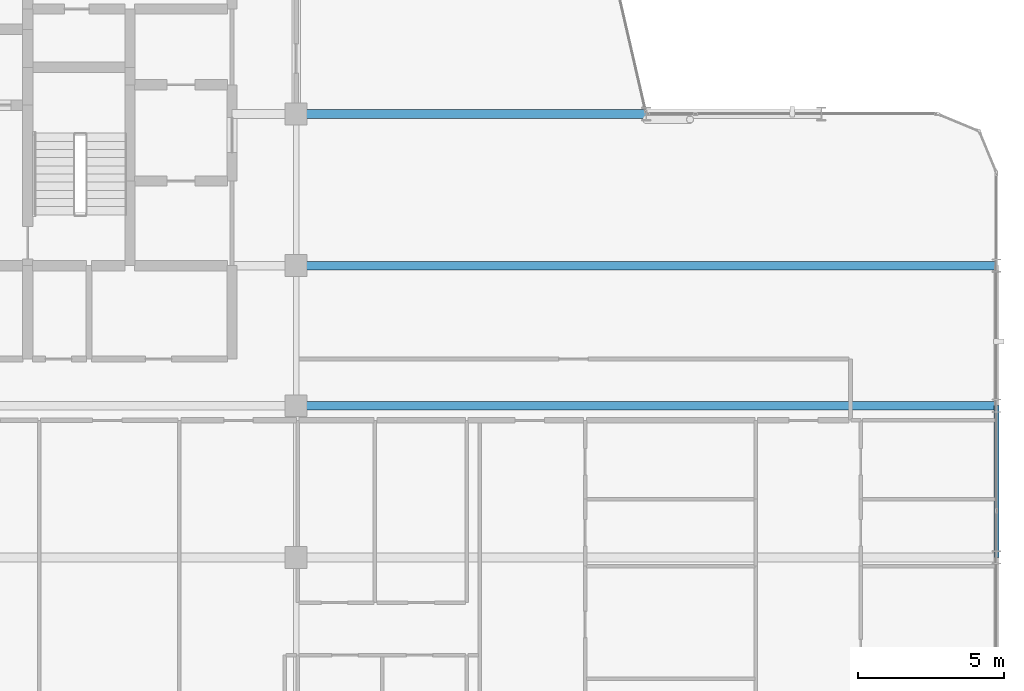
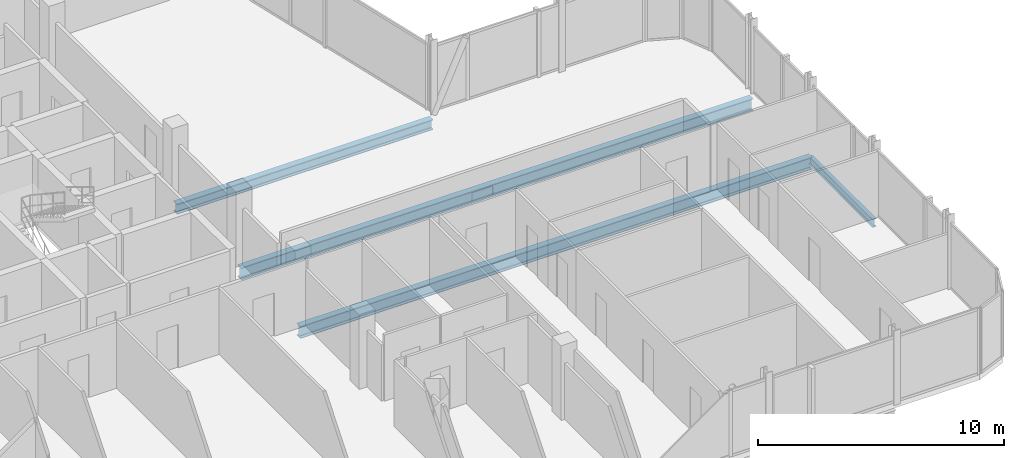
# One storey, part 13 of 28: 4 beams.
"""IFC4 building model written with IfcOpenShell, lengths in metres."""

import ifcopenshell
import ifcopenshell.guid

model = None  # the IFC model being written
_history = None  # IfcOwnerHistory: only IFC2X3 demands one
_inside = {}  # id of a spatial element -> (the spatial element, [elements in it])
_under = {}  # id of a project, library or spatial element -> (it, [spatial elements below it])
_declared = {}  # id of a project -> (the project, [libraries it declares])
_typed = {}  # id of a type object -> (the type object, [elements of that type])
_made_of = {}  # id of a material, layer set ... -> (it, [elements and type objects made of it])


def new_model(schema):
    """Start an empty IFC model of exactly this schema.

    Asked for "IFC4X3", IfcOpenShell would pick the latest addendum, in which some entities
    have other attributes; the version numbers below select the first issue.
    IFC2X3 requires an IfcOwnerHistory on every rooted entity: one is made here for all.
    """
    global model, _history
    if schema == "IFC4X3":
        model = ifcopenshell.file(schema_version=(4, 3, 0, 0))
    else:
        model = ifcopenshell.file(schema=schema)
    _inside.clear()
    _under.clear()
    _declared.clear()
    _typed.clear()
    _made_of.clear()
    _history = None
    if model.schema == "IFC2X3":
        org = make("IfcOrganization", Name="unknown")
        user = make(
            "IfcPersonAndOrganization",
            ThePerson=make("IfcPerson", FamilyName="unknown"),
            TheOrganization=org,
        )
        app = make(
            "IfcApplication",
            ApplicationDeveloper=org,
            Version="unknown",
            ApplicationFullName="unknown",
            ApplicationIdentifier="unknown",
        )
        _history = make(
            "IfcOwnerHistory",
            OwningUser=user,
            OwningApplication=app,
            ChangeAction="ADDED",
            CreationDate=0,
        )
    return model


def make(cls, **values):
    """One entity of the class cls with the attributes given. An attribute that is None is left unset."""
    return model.create_entity(
        cls, **{name: value for name, value in values.items() if value is not None}
    )


def rooted(cls, **values):
    """An entity with a GlobalId (a new one), such as an element, a storey or a relation."""
    return make(cls, GlobalId=ifcopenshell.guid.new(), OwnerHistory=_history, **values)


def si_unit(unit_type, name, prefix=None):
    """IfcSIUnit, for example si_unit("LENGTHUNIT", "METRE", prefix="MILLI")."""
    return make("IfcSIUnit", UnitType=unit_type, Prefix=prefix, Name=name)


def assignment(units):
    """IfcUnitAssignment: the units of a project."""
    return None if units is None else make("IfcUnitAssignment", Units=units)


def point(xyz):
    """IfcCartesianPoint."""
    return None if xyz is None else make("IfcCartesianPoint", Coordinates=xyz)


def direction(xyz):
    """IfcDirection."""
    return None if xyz is None else make("IfcDirection", DirectionRatios=xyz)


def frame(location, z_axis=None, x_axis=None):
    """IfcAxis2Placement3D, a coordinate frame: its origin and axes. An axis left out is left unset."""
    return make(
        "IfcAxis2Placement3D",
        Location=point(location),
        Axis=direction(z_axis),
        RefDirection=direction(x_axis),
    )


def frame_2d(location, x_axis=None):
    """IfcAxis2Placement2D, a coordinate frame in the plane: its origin and x axis."""
    return make(
        "IfcAxis2Placement2D", Location=point(location), RefDirection=direction(x_axis)
    )


def origin():
    """The frame at (0, 0, 0) with its axes left unset."""
    return frame((0.0, 0.0, 0.0))


def origin_2d():
    """The frame at (0, 0) in the plane with its x axis left unset."""
    return frame_2d((0.0, 0.0))


def place(relative_to, where):
    """IfcLocalPlacement: puts the frame where relative to a parent placement (None: the world)."""
    return make(
        "IfcLocalPlacement", PlacementRelTo=relative_to, RelativePlacement=where
    )


def context(
    kind, dimensions, precision=None, world=None, true_north=None, identifier=None
):
    """IfcGeometricRepresentationContext, for example the 3D "Model" context."""
    return make(
        "IfcGeometricRepresentationContext",
        ContextIdentifier=identifier,
        ContextType=kind,
        CoordinateSpaceDimension=dimensions,
        Precision=precision,
        WorldCoordinateSystem=world,
        TrueNorth=true_north,
    )


def subcontext(parent, identifier, kind, view, scale=None):
    """IfcGeometricRepresentationSubContext, for example "Body" below "Model"."""
    return make(
        "IfcGeometricRepresentationSubContext",
        ContextIdentifier=identifier,
        ContextType=kind,
        ParentContext=parent,
        TargetScale=scale,
        TargetView=view,
    )


def project(units=None, contexts=None):
    """IfcProject with its units and contexts."""
    return rooted(
        "IfcProject",
        Name="project",
        RepresentationContexts=contexts,
        UnitsInContext=assignment(units),
    )


def spatial(cls, under=None, at=None, **own):
    """A site, building, storey or space (cls), placed at a placement, below another one or the project."""
    s = rooted(cls, ObjectPlacement=at, **own)
    if under is not None:
        _under.setdefault(under.id(), (under, []))[1].append(s)
    return s


def profile(cls, at=None, kind="AREA", **sizes):
    """A parametric profile (cls). Its sizes go by their IFC names, for example OverallWidth=200.0."""
    return make(cls, ProfileType=kind, Position=at, **sizes)


def i_section(**sizes):
    """IfcIShapeProfileDef."""
    return profile("IfcIShapeProfileDef", **sizes)


def extrude(swept, where, along, depth):
    """IfcExtrudedAreaSolid: the profile swept, set in the frame where, extruded along a direction by depth."""
    return make(
        "IfcExtrudedAreaSolid",
        SweptArea=swept,
        Position=where,
        ExtrudedDirection=direction(along),
        Depth=depth,
    )


def shape(context_of_items, identifier, shape_type, items):
    """IfcShapeRepresentation: the items that make up one representation, for example the "Body"."""
    return make(
        "IfcShapeRepresentation",
        ContextOfItems=context_of_items,
        RepresentationIdentifier=identifier,
        RepresentationType=shape_type,
        Items=items,
    )


def material(Name=None, Category=None):
    """IfcMaterial."""
    return make("IfcMaterial", Name=Name, Category=Category)


def material_profile(
    of_material, cross_section, Name=None, Category=None, Priority=None
):
    """IfcMaterialProfile: a cross section and its material."""
    return make(
        "IfcMaterialProfile",
        Name=Name,
        Material=of_material,
        Profile=cross_section,
        Priority=Priority,
        Category=Category,
    )


def profile_set(profiles, Name=None, composite=None):
    """IfcMaterialProfileSet."""
    return make(
        "IfcMaterialProfileSet",
        Name=Name,
        MaterialProfiles=profiles,
        CompositeProfile=composite,
    )


def made_of(thing, what):
    """Note that an element or type object is made of a material, layer set ...; save() writes the relation."""
    if what is not None:
        _made_of.setdefault(what.id(), (what, []))[1].append(thing)
    return thing


def type_object(cls, material=None, **own):
    """A type object (cls), such as IfcWallType, which elements share."""
    return made_of(rooted(cls, **own), material)


def element(
    cls,
    number,
    at=None,
    inside=None,
    cuts=None,
    type_object=None,
    material=None,
    context=None,
    identifier="Body",
    shape_type=None,
    held_by="IfcProductDefinitionShape",
    body=None,
    shapes=None,
    **own,
):
    """One element of the class cls, such as IfcWall. Its Tag is "e" and its number.

    at: its placement. inside: the storey or other place that contains it. cuts: it is an
    opening in that element (IfcRelVoidsElement). A single representation is given by context,
    identifier, shape_type and body (its items); several are given by shapes. held_by: the class
    of the entity that holds the representations. save() writes the other relations.
    """
    e = rooted(cls, Tag="e%d" % number, ObjectPlacement=at, **own)
    if body is not None:
        shapes = [shape(context, identifier, shape_type, body)]
    if shapes is not None:
        e.Representation = make(held_by, Representations=shapes)
    if inside is not None:
        _inside.setdefault(inside.id(), (inside, []))[1].append(e)
    if cuts is not None:
        rooted(
            "IfcRelVoidsElement", RelatingBuildingElement=cuts, RelatedOpeningElement=e
        )
    if type_object is not None:
        _typed.setdefault(type_object.id(), (type_object, []))[1].append(e)
    return made_of(e, material)


def aggregate(whole, parts):
    """IfcRelAggregates: a whole, such as a stair, and the parts it consists of."""
    return rooted("IfcRelAggregates", RelatingObject=whole, RelatedObjects=parts)


def save(model, path):
    """Write the relations noted so far, then the file.

    IfcRelAggregates (storeys below a building ...), IfcRelContainedInSpatialStructure (elements
    in a storey), IfcRelDefinesByType, IfcRelAssociatesMaterial and IfcRelDeclares: one each for
    every whole, place, type object, material and project.
    """
    for whole, parts in _under.values():
        aggregate(whole, parts)
    for where, things in _inside.values():
        rooted(
            "IfcRelContainedInSpatialStructure",
            RelatedElements=things,
            RelatingStructure=where,
        )
    for kind, things in _typed.values():
        rooted("IfcRelDefinesByType", RelatedObjects=things, RelatingType=kind)
    for what, things in _made_of.values():
        rooted("IfcRelAssociatesMaterial", RelatedObjects=things, RelatingMaterial=what)
    for by, libraries in _declared.values():
        rooted("IfcRelDeclares", RelatingContext=by, RelatedDefinitions=libraries)
    model.write(path)


model = new_model("IFC4")

# Units and contexts
model_context = context("Model", 3, precision=1e-05, world=origin(), true_north=direction((0.0, 1.0)))
body_context = subcontext(model_context, "Body", "Model", "MODEL_VIEW")
ifc_project = project(units=[si_unit("LENGTHUNIT", "METRE"), si_unit("AREAUNIT", "SQUARE_METRE"), si_unit("VOLUMEUNIT", "CUBIC_METRE"), si_unit("PLANEANGLEUNIT", "RADIAN"), si_unit("MASSUNIT", "GRAM", prefix="KILO")], contexts=[model_context])

# Site, building, storey
site_placement = place(None, origin())
site = spatial("IfcSite", under=ifc_project, at=site_placement, CompositionType="ELEMENT")
building_placement = place(site_placement, origin())
building = spatial("IfcBuilding", under=site, at=building_placement, Name="Keshet Zoharim Tower", CompositionType="ELEMENT")
storey_placement = place(building_placement, frame((0.0, 0.0, 233.89990234375)))
storey = spatial("IfcBuildingStorey", under=building, at=storey_placement, Name="L58", CompositionType="ELEMENT", Elevation=233.89990234375)

# Beams
ifc_material = material(Name="Steel S355", Category="steel")
ifc_material_profile_1 = material_profile(ifc_material, i_section(OverallWidth=0.300048828125, OverallDepth=0.60009765625, WebThickness=0.015380859375, FlangeThickness=0.030029296875, FilletRadius=0.027099609375, at=origin_2d()), Name="HEB600")
ifc_profile_set_1 = profile_set([ifc_material_profile_1], Name="Steel S355")
beam_type_1 = type_object("IfcBeamType", Name="BM-LNG-HB600", PredefinedType="BEAM", material=ifc_profile_set_1)
for number, where, z_axis, x_axis, name in (
    (1, (33.0, 17.89990234375, -0.60986328125), (1.0, 0.0, 0.0), (0.0, 1.0, 0.0), "L58 Primary Girder X-013"),
    (2, (33.0, 22.699951171875, -0.60986328125), (1.0, 0.0, 0.0), (0.0, 1.0, 0.0), "L58 Primary Girder X-014"),
):
    element("IfcBeam", number, at=place(storey_placement, frame(where, z_axis=z_axis, x_axis=x_axis)), inside=storey, type_object=beam_type_1, Name=name, PredefinedType="BEAM", context=body_context, shape_type="SweptSolid", body=[
        extrude(i_section(OverallWidth=0.300048828125, OverallDepth=0.60009765625, WebThickness=0.015380859375, FlangeThickness=0.030029296875, FilletRadius=0.027099609375, at=origin_2d()), origin(), (0.0, 0.0, 1.0), 24.0),
    ])
ifc_material_profile_2 = material_profile(ifc_material, i_section(OverallWidth=0.300048828125, OverallDepth=0.5, WebThickness=0.014404296875, FlangeThickness=0.028076171875, FilletRadius=0.027099609375, at=origin_2d()), Name="HEB500")
ifc_profile_set_2 = profile_set([ifc_material_profile_2], Name="Steel S355")
beam_type_2 = type_object("IfcBeamType", Name="BM-MED-HB500", PredefinedType="BEAM", material=ifc_profile_set_2)
beam_1_placement = place(storey_placement, frame((33.0, 27.89990234375, -0.559814453125), z_axis=(1.0, 0.0, 0.0), x_axis=(0.0, 1.0, 0.0)))
element("IfcBeam", 3, at=beam_1_placement, inside=storey, type_object=beam_type_2, Name="L58 Primary Girder X-015", PredefinedType="BEAM", context=body_context, shape_type="SweptSolid", body=[
    extrude(i_section(OverallWidth=0.300048828125, OverallDepth=0.5, WebThickness=0.014404296875, FlangeThickness=0.028076171875, FilletRadius=0.027099609375, at=origin_2d()), origin(), (0.0, 0.0, 1.0), 12.0),
])
ifc_material_profile_3 = material_profile(ifc_material, i_section(OverallWidth=0.179931640625, OverallDepth=0.39990234375, WebThickness=0.008544921875, FlangeThickness=0.013427734375, FilletRadius=0.02099609375, at=origin_2d()), Name="IPE400")
ifc_profile_set_3 = profile_set([ifc_material_profile_3], Name="Steel S355")
beam_type_3 = type_object("IfcBeamType", Name="BM-PRI-IP400", PredefinedType="BEAM", material=ifc_profile_set_3)
beam_2_placement = place(storey_placement, frame((57.0, 12.699951171875, -0.510009765625), z_axis=(0.0, 1.0, 0.0), x_axis=(-1.0, 0.0, 0.0)))
element("IfcBeam", 4, at=beam_2_placement, inside=storey, type_object=beam_type_3, Name="L58 Primary Girder Y-014", PredefinedType="BEAM", context=body_context, shape_type="SweptSolid", body=[
    extrude(i_section(OverallWidth=0.179931640625, OverallDepth=0.39990234375, WebThickness=0.008544921875, FlangeThickness=0.013427734375, FilletRadius=0.02099609375, at=origin_2d()), origin(), (0.0, 0.0, 1.0), 5.199951171875),
])

save(model, "model.ifc")
